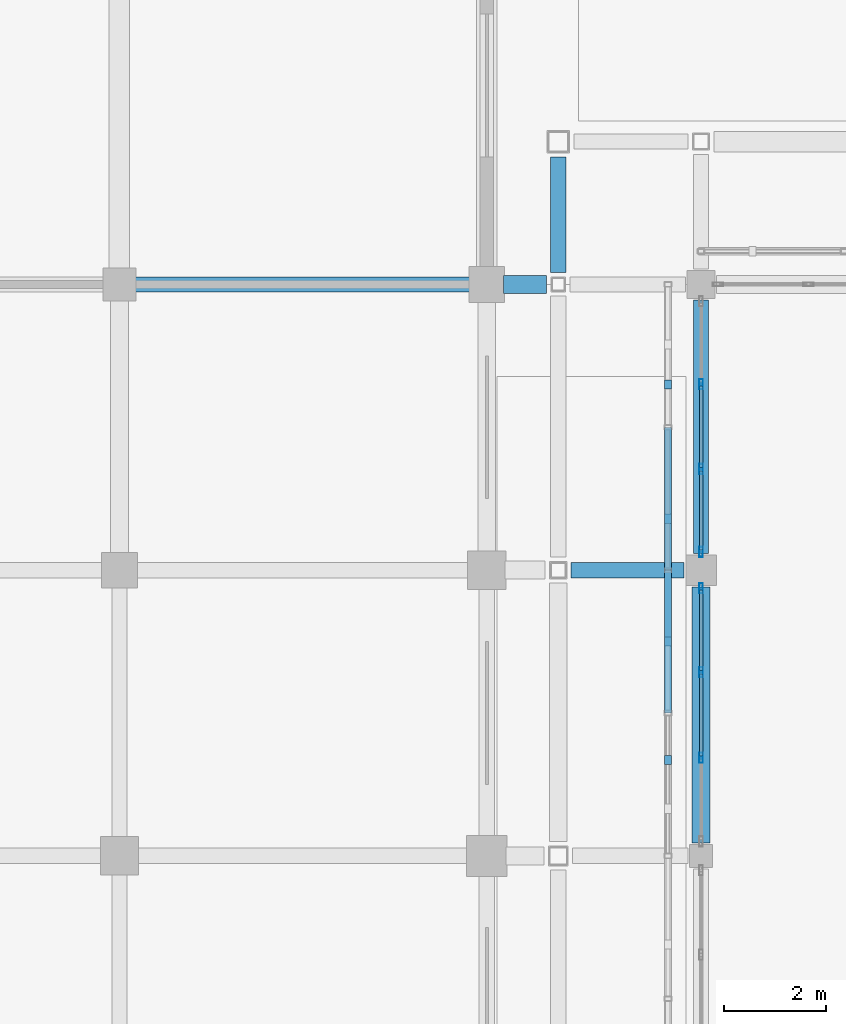
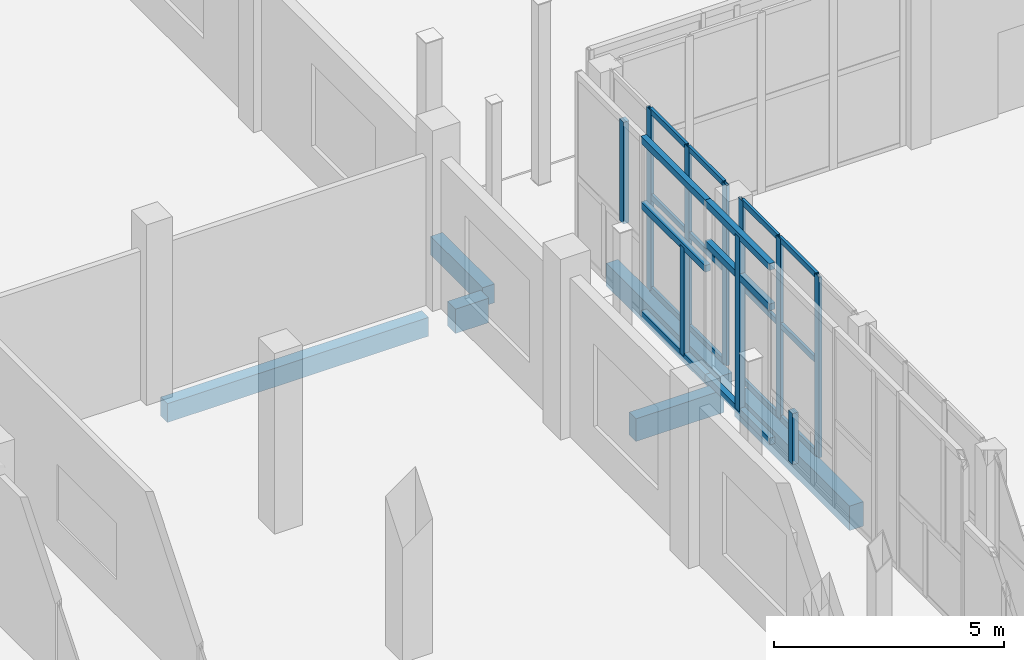
# One storey, part 37 of 91: 28 members, 6 beams, 2 elements without a shape of their own.
"""IFC4 building model written with IfcOpenShell, lengths in metres."""

from ifc_helpers import new_model, si_unit, direction, frame, origin, origin_2d, place, context, subcontext, project, spatial, rectangle, hollow_rectangle, extrude, material, layer, layer_set, material_profile, profile_set, type_object, element, aggregate, save


model = new_model("IFC4")

# Units and contexts
model_context = context("Model", 3, precision=1e-05, world=origin(), true_north=direction((0.0, 1.0)))
body_context = subcontext(model_context, "Body", "Model", "MODEL_VIEW")
ifc_project = project(units=[si_unit("LENGTHUNIT", "METRE"), si_unit("AREAUNIT", "SQUARE_METRE"), si_unit("VOLUMEUNIT", "CUBIC_METRE"), si_unit("PLANEANGLEUNIT", "RADIAN"), si_unit("MASSUNIT", "GRAM", prefix="KILO")], contexts=[model_context])

# Site, building, storey
site_placement = place(None, origin())
site = spatial("IfcSite", under=ifc_project, at=site_placement, CompositionType="ELEMENT")
building_placement = place(site_placement, origin())
building = spatial("IfcBuilding", under=site, at=building_placement, Name="Vinh Khe Railworks Police Headquarters", CompositionType="ELEMENT")
storey_placement = place(building_placement, origin())
storey = spatial("IfcBuildingStorey", under=building, at=storey_placement, Name="L00", CompositionType="ELEMENT", Elevation=0.0)

# Members
ifc_material_1 = material(Name="Salvaged ironwood timber", Category="wood")
ifc_material_profile_1 = material_profile(ifc_material_1, rectangle(XDim=0.139892578125, YDim=0.179931640625, at=origin_2d()), Name="TIMBER 140x180")
ifc_profile_set_1 = profile_set([ifc_material_profile_1], Name="Salvaged ironwood timber")
member_type_1 = type_object("IfcMemberType", Name="MEM-QUILT-STILE", PredefinedType="CHORD", material=ifc_profile_set_1)
member_1_placement = place(storey_placement, frame((25.75, 49.47607421875, 0.080078125), z_axis=(0.0, 0.0, 1.0), x_axis=(1.0, 0.0, 0.0)))
element("IfcMember", 1, at=member_1_placement, inside=storey, type_object=member_type_1, Name="Salvaged Timber Quilt Stile W-L00-08-V2", PredefinedType="POST", context=body_context, shape_type="SweptSolid", body=[
    extrude(rectangle(XDim=0.139892578125, YDim=0.179931640625, at=origin_2d()), origin(), (0.0, 0.0, 1.0), 1.35986328125),
])
for number, where, z_axis, x_axis, name in (
    (2, (25.75, 50.39990234375, 4.719970703125), (0.0, 1.0, 0.0), (-1.0, 0.0, 0.0), "Salvaged Timber Quilt Transom W-L00-09-TOP"),
    (3, (25.75, 50.39990234375, 0.080078125), (0.0, 1.0, 0.0), (-1.0, 0.0, 0.0), "Salvaged Timber Quilt Transom W-L00-09-BOT"),
    (4, (25.75, 50.39990234375, 3.64794921875), (0.0, 1.0, 0.0), (-1.0, 0.0, 0.0), "Salvaged Timber Quilt Transom W-L00-09-M1"),
):
    element("IfcMember", number, at=place(storey_placement, frame(where, z_axis=z_axis, x_axis=x_axis)), inside=storey, type_object=member_type_1, Name=name, PredefinedType="CHORD", context=body_context, shape_type="SweptSolid", body=[
        extrude(rectangle(XDim=0.139892578125, YDim=0.179931640625, at=origin_2d()), origin(), (0.0, 0.0, 1.0), 2.800048828125),
    ])
member_2_placement = place(storey_placement, frame((25.75, 51.800048828125, 0.080078125), z_axis=(0.0, 0.0, 1.0), x_axis=(1.0, 0.0, 0.0)))
element("IfcMember", 5, at=member_2_placement, inside=storey, type_object=member_type_1, Name="Salvaged Timber Quilt Stile W-L00-09-V1", PredefinedType="POST", context=body_context, shape_type="SweptSolid", body=[
    extrude(rectangle(XDim=0.139892578125, YDim=0.179931640625, at=origin_2d()), origin(), (0.0, 0.0, 1.0), 4.639892578125),
])
for number, where, z_axis, x_axis, name in (
    (6, (25.75, 53.199951171875, 4.719970703125), (0.0, 1.0, 0.0), (-1.0, 0.0, 0.0), "Salvaged Timber Quilt Transom W-L00-10-TOP"),
    (7, (25.75, 53.199951171875, 0.080078125), (0.0, 1.0, 0.0), (-1.0, 0.0, 0.0), "Salvaged Timber Quilt Transom W-L00-10-BOT"),
    (8, (25.75, 53.199951171875, 2.97607421875), (0.0, 1.0, 0.0), (-1.0, 0.0, 0.0), "Salvaged Timber Quilt Transom W-L00-10-M1"),
):
    element("IfcMember", number, at=place(storey_placement, frame(where, z_axis=z_axis, x_axis=x_axis)), inside=storey, type_object=member_type_1, Name=name, PredefinedType="CHORD", context=body_context, shape_type="SweptSolid", body=[
        extrude(rectangle(XDim=0.139892578125, YDim=0.179931640625, at=origin_2d()), origin(), (0.0, 0.0, 1.0), 2.800048828125),
    ])
member_3_placement = place(storey_placement, frame((25.75, 54.2080078125, 0.080078125), z_axis=(0.0, 0.0, 1.0), x_axis=(1.0, 0.0, 0.0)))
element("IfcMember", 9, at=member_3_placement, inside=storey, type_object=member_type_1, Name="Salvaged Timber Quilt Stile W-L00-10-V1", PredefinedType="POST", context=body_context, shape_type="SweptSolid", body=[
    extrude(rectangle(XDim=0.139892578125, YDim=0.179931640625, at=origin_2d()), origin(), (0.0, 0.0, 1.0), 2.89599609375),
])
member_4_placement = place(storey_placement, frame((25.75, 56.840087890625, 2.01611328125), z_axis=(0.0, 0.0, 1.0), x_axis=(1.0, 0.0, 0.0)))
element("IfcMember", 10, at=member_4_placement, inside=storey, type_object=member_type_1, Name="Salvaged Timber Quilt Stile W-L00-11-V2", PredefinedType="POST", context=body_context, shape_type="SweptSolid", body=[
    extrude(rectangle(XDim=0.139892578125, YDim=0.179931640625, at=origin_2d()), origin(), (0.0, 0.0, 1.0), 2.703857421875),
])

# Curtain wall, members
ifc_material_2 = material(Name="Anodised aluminium and low-iron glass", Category="aluminium")
ifc_layer = layer(ifc_material_2, 0.179931640625)
ifc_layer_set = layer_set([ifc_layer], Name="Anodised aluminium and low-iron glass")
curtain_wall_type = type_object("IfcCurtainWallType", Name="CW-CUBE-UNIT", PredefinedType="USERDEFINED", material=ifc_layer_set)
curtain_wall_1_placement = place(storey_placement, origin())
curtain_wall_1 = element("IfcCurtainWall", 11, at=curtain_wall_1_placement, inside=storey, type_object=curtain_wall_type, Name="Entrance Hall Curtain Wall L00 W-5", ObjectType="UNITISED GLAZING", PredefinedType="USERDEFINED")
ifc_material_3 = material(Name="Anodised aluminium 6063-T6", Category="aluminium")
ifc_material_profile_2 = material_profile(ifc_material_3, hollow_rectangle(XDim=0.070068359375, YDim=0.199951171875, WallThickness=0.0048828125, at=origin_2d()), Name="CW-M 70x200x5")
ifc_profile_set_2 = profile_set([ifc_material_profile_2], Name="Anodised aluminium 6063-T6")
member_type_2 = type_object("IfcMemberType", Name="MULL-CWM-03", PredefinedType="MULLION", material=ifc_profile_set_2)
member_5_placement = place(storey_placement, frame((26.39990234375, 49.5234375, 0.0), z_axis=(0.0, 0.0, 1.0), x_axis=(-1.0, 0.0, 0.0)))
member_5 = element("IfcMember", 12, at=member_5_placement, type_object=member_type_2, Name="CW-01 mullion 2", PredefinedType="MULLION", context=body_context, shape_type="SweptSolid", body=[
    extrude(hollow_rectangle(XDim=0.070068359375, YDim=0.199951171875, WallThickness=0.0048828125, at=origin_2d()), origin(), (0.0, 0.0, 1.0), 4.800048828125),
])
member_6_placement = place(storey_placement, frame((26.39990234375, 51.20166015625, 0.0), z_axis=(0.0, 0.0, 1.0), x_axis=(-1.0, 0.0, 0.0)))
member_6 = element("IfcMember", 13, at=member_6_placement, type_object=member_type_2, Name="CW-01 mullion 3", PredefinedType="MULLION", context=body_context, shape_type="SweptSolid", body=[
    extrude(hollow_rectangle(XDim=0.070068359375, YDim=0.199951171875, WallThickness=0.0048828125, at=origin_2d()), origin(), (0.0, 0.0, 1.0), 4.800048828125),
])
member_7_placement = place(storey_placement, frame((26.39990234375, 52.844970703125, 0.0), z_axis=(0.0, 0.0, 1.0), x_axis=(-1.0, 0.0, 0.0)))
member_7 = element("IfcMember", 14, at=member_7_placement, type_object=member_type_2, Name="CW-01 mullion 4", PredefinedType="MULLION", context=body_context, shape_type="SweptSolid", body=[
    extrude(hollow_rectangle(XDim=0.070068359375, YDim=0.199951171875, WallThickness=0.0048828125, at=origin_2d()), origin(), (0.0, 0.0, 1.0), 4.800048828125),
])

curtain_wall_2_placement = place(storey_placement, origin())
curtain_wall_2 = element("IfcCurtainWall", 15, at=curtain_wall_2_placement, inside=storey, type_object=curtain_wall_type, Name="Entrance Hall Curtain Wall L00 W-6", ObjectType="UNITISED GLAZING", PredefinedType="USERDEFINED")
member_8_placement = place(storey_placement, frame((26.39990234375, 53.554931640625, 0.0), z_axis=(0.0, 0.0, 1.0), x_axis=(-1.0, 0.0, 0.0)))
member_8 = element("IfcMember", 16, at=member_8_placement, type_object=member_type_2, Name="CW-01 mullion 1", PredefinedType="MULLION", context=body_context, shape_type="SweptSolid", body=[
    extrude(hollow_rectangle(XDim=0.070068359375, YDim=0.199951171875, WallThickness=0.0048828125, at=origin_2d()), origin(), (0.0, 0.0, 1.0), 4.800048828125),
])
member_9_placement = place(storey_placement, frame((26.39990234375, 55.181640625, 0.0), z_axis=(0.0, 0.0, 1.0), x_axis=(-1.0, 0.0, 0.0)))
member_9 = element("IfcMember", 17, at=member_9_placement, type_object=member_type_2, Name="CW-01 mullion 2", PredefinedType="MULLION", context=body_context, shape_type="SweptSolid", body=[
    extrude(hollow_rectangle(XDim=0.070068359375, YDim=0.199951171875, WallThickness=0.0048828125, at=origin_2d()), origin(), (0.0, 0.0, 1.0), 4.800048828125),
])
member_10_placement = place(storey_placement, frame((26.39990234375, 56.84326171875, 0.0), z_axis=(0.0, 0.0, 1.0), x_axis=(-1.0, 0.0, 0.0)))
member_10 = element("IfcMember", 18, at=member_10_placement, type_object=member_type_2, Name="CW-01 mullion 3", PredefinedType="MULLION", context=body_context, shape_type="SweptSolid", body=[
    extrude(hollow_rectangle(XDim=0.070068359375, YDim=0.199951171875, WallThickness=0.0048828125, at=origin_2d()), origin(), (0.0, 0.0, 1.0), 4.800048828125),
])

# Beams
ifc_material_4 = material(Name="Concrete C35/45 (B35)", Category="concrete")
ifc_material_profile_3 = material_profile(ifc_material_4, rectangle(XDim=0.300048828125, YDim=0.5, at=origin_2d()), Name="RC 300x500")
ifc_profile_set_3 = profile_set([ifc_material_profile_3], Name="Concrete C35/45 (B35)")
beam_type_1 = type_object("IfcBeamType", Name="RC Girder RC 300x500", PredefinedType="BEAM", material=ifc_profile_set_3)
beam_1_placement = place(storey_placement, frame((15.304931640625, 58.800048828125, -0.530029296875), z_axis=(1.0, 0.0, 0.0), x_axis=(0.0, 1.0, 0.0)))
element("IfcBeam", 19, at=beam_1_placement, inside=storey, type_object=beam_type_1, Name="Girder BM-L00-EW-RB-10-0075", PredefinedType="BEAM", context=body_context, shape_type="SweptSolid", body=[
    extrude(rectangle(XDim=0.300048828125, YDim=0.5, at=origin_2d()), origin(), (0.0, 0.0, 1.0), 6.565185546875),
])
beam_2_placement = place(storey_placement, frame((23.60009765625, 59.030029296875, -0.530029296875), z_axis=(0.0, 1.0, 0.0), x_axis=(-1.0, 0.0, 0.0)))
element("IfcBeam", 20, at=beam_2_placement, inside=storey, type_object=beam_type_1, Name="Girder BM-L00-NS-RB-10-0270", PredefinedType="BEAM", context=body_context, shape_type="SweptSolid", body=[
    extrude(rectangle(XDim=0.300048828125, YDim=0.5, at=origin_2d()), origin(), (0.0, 0.0, 1.0), 2.264892578125),
])
ifc_material_profile_4 = material_profile(ifc_material_4, rectangle(XDim=0.300048828125, YDim=0.60009765625, at=origin_2d()), Name="RC 300x600")
ifc_profile_set_4 = profile_set([ifc_material_profile_4], Name="Concrete C35/45 (B35)")
beam_type_2 = type_object("IfcBeamType", Name="RC Girder RC 300x600", PredefinedType="BEAM", material=ifc_profile_set_4)
beam_3_placement = place(storey_placement, frame((23.85498046875, 53.199951171875, -0.580078125), z_axis=(1.0, 0.0, 0.0), x_axis=(0.0, 1.0, 0.0)))
element("IfcBeam", 21, at=beam_3_placement, inside=storey, type_object=beam_type_2, Name="Girder BM-L00-EW-RB-09-0071", PredefinedType="BEAM", context=body_context, shape_type="SweptSolid", body=[
    extrude(rectangle(XDim=0.300048828125, YDim=0.60009765625, at=origin_2d()), origin(), (0.0, 0.0, 1.0), 2.215087890625),
])
beam_4_placement = place(storey_placement, frame((26.39990234375, 53.530029296875, -0.580078125), z_axis=(0.0, 1.0, 0.0), x_axis=(-1.0, 0.0, 0.0)))
element("IfcBeam", 22, at=beam_4_placement, inside=storey, type_object=beam_type_2, Name="Girder BM-L00-NS-RB-09-0281", PredefinedType="BEAM", context=body_context, shape_type="SweptSolid", body=[
    extrude(rectangle(XDim=0.300048828125, YDim=0.60009765625, at=origin_2d()), origin(), (0.0, 0.0, 1.0), 4.965087890625),
])
ifc_material_profile_5 = material_profile(ifc_material_4, rectangle(XDim=0.35009765625, YDim=0.64990234375, at=origin_2d()), Name="RC 350x650")
ifc_profile_set_5 = profile_set([ifc_material_profile_5], Name="Concrete C35/45 (B35)")
beam_type_3 = type_object("IfcBeamType", Name="RC Girder RC 350x650", PredefinedType="BEAM", material=ifc_profile_set_5)
beam_5_placement = place(storey_placement, frame((22.530029296875, 58.800048828125, -0.60498046875), z_axis=(1.0, 0.0, 0.0), x_axis=(0.0, 1.0, 0.0)))
element("IfcBeam", 23, at=beam_5_placement, inside=storey, type_object=beam_type_3, Name="Girder BM-L00-EW-RB-08-0076", PredefinedType="BEAM", context=body_context, shape_type="SweptSolid", body=[
    extrude(rectangle(XDim=0.35009765625, YDim=0.64990234375, at=origin_2d()), origin(), (0.0, 0.0, 1.0), 0.840087890625),
])
beam_6_placement = place(storey_placement, frame((26.39990234375, 47.85498046875, -0.60498046875), z_axis=(0.0, 1.0, 0.0), x_axis=(-1.0, 0.0, 0.0)))
element("IfcBeam", 24, at=beam_6_placement, inside=storey, type_object=beam_type_3, Name="Girder BM-L00-NS-RB-08-0280", PredefinedType="BEAM", context=body_context, shape_type="SweptSolid", body=[
    extrude(rectangle(XDim=0.35009765625, YDim=0.64990234375, at=origin_2d()), origin(), (0.0, 0.0, 1.0), 5.01513671875),
])

# Member
ifc_material_profile_6 = material_profile(ifc_material_3, hollow_rectangle(XDim=0.070068359375, YDim=0.14990234375, WallThickness=0.0048828125, at=origin_2d()), Name="CW-T 70x150x5")
ifc_profile_set_6 = profile_set([ifc_material_profile_6], Name="Anodised aluminium 6063-T6")
member_type_3 = type_object("IfcMemberType", Name="TRAN-CWT-03", PredefinedType="USERDEFINED", material=ifc_profile_set_6)
member_11_placement = place(storey_placement, frame((26.39990234375, 49.558349609375, 0.034912109375), z_axis=(0.0, 1.0, 0.0), x_axis=(-1.0, 0.0, 0.0)))
member_11 = element("IfcMember", 25, at=member_11_placement, type_object=member_type_3, Name="CW-01 transom 2.1", ObjectType="TRANSOM", PredefinedType="USERDEFINED", context=body_context, shape_type="SweptSolid", body=[
    extrude(hollow_rectangle(XDim=0.070068359375, YDim=0.14990234375, WallThickness=0.0048828125, at=origin_2d()), origin(), (0.0, 0.0, 1.0), 1.6083984375),
])

member_12_placement = place(storey_placement, frame((26.39990234375, 49.558349609375, 2.49609375), z_axis=(0.0, 1.0, 0.0), x_axis=(-1.0, 0.0, 0.0)))
member_12 = element("IfcMember", 26, at=member_12_placement, type_object=member_type_3, Name="CW-01 transom 2.2", ObjectType="TRANSOM", PredefinedType="USERDEFINED", context=body_context, shape_type="SweptSolid", body=[
    extrude(hollow_rectangle(XDim=0.070068359375, YDim=0.14990234375, WallThickness=0.0048828125, at=origin_2d()), origin(), (0.0, 0.0, 1.0), 1.6083984375),
])

member_13_placement = place(storey_placement, frame((26.39990234375, 49.558349609375, 4.764892578125), z_axis=(0.0, 1.0, 0.0), x_axis=(-1.0, 0.0, 0.0)))
member_13 = element("IfcMember", 27, at=member_13_placement, type_object=member_type_3, Name="CW-01 transom 2.3", ObjectType="TRANSOM", PredefinedType="USERDEFINED", context=body_context, shape_type="SweptSolid", body=[
    extrude(hollow_rectangle(XDim=0.070068359375, YDim=0.14990234375, WallThickness=0.0048828125, at=origin_2d()), origin(), (0.0, 0.0, 1.0), 1.6083984375),
])

member_14_placement = place(storey_placement, frame((26.39990234375, 51.236572265625, 0.034912109375), z_axis=(0.0, 1.0, 0.0), x_axis=(-1.0, 0.0, 0.0)))
member_14 = element("IfcMember", 28, at=member_14_placement, type_object=member_type_3, Name="CW-01 transom 3.1", ObjectType="TRANSOM", PredefinedType="USERDEFINED", context=body_context, shape_type="SweptSolid", body=[
    extrude(hollow_rectangle(XDim=0.070068359375, YDim=0.14990234375, WallThickness=0.0048828125, at=origin_2d()), origin(), (0.0, 0.0, 1.0), 1.573486328125),
])

member_15_placement = place(storey_placement, frame((26.39990234375, 51.236572265625, 2.49609375), z_axis=(0.0, 1.0, 0.0), x_axis=(-1.0, 0.0, 0.0)))
member_15 = element("IfcMember", 29, at=member_15_placement, type_object=member_type_3, Name="CW-01 transom 3.2", ObjectType="TRANSOM", PredefinedType="USERDEFINED", context=body_context, shape_type="SweptSolid", body=[
    extrude(hollow_rectangle(XDim=0.070068359375, YDim=0.14990234375, WallThickness=0.0048828125, at=origin_2d()), origin(), (0.0, 0.0, 1.0), 1.573486328125),
])

member_16_placement = place(storey_placement, frame((26.39990234375, 51.236572265625, 4.764892578125), z_axis=(0.0, 1.0, 0.0), x_axis=(-1.0, 0.0, 0.0)))
member_16 = element("IfcMember", 30, at=member_16_placement, type_object=member_type_3, Name="CW-01 transom 3.3", ObjectType="TRANSOM", PredefinedType="USERDEFINED", context=body_context, shape_type="SweptSolid", body=[
    extrude(hollow_rectangle(XDim=0.070068359375, YDim=0.14990234375, WallThickness=0.0048828125, at=origin_2d()), origin(), (0.0, 0.0, 1.0), 1.573486328125),
])

aggregate(curtain_wall_1, [member_5, member_6, member_7, member_11, member_12, member_13, member_14, member_15, member_16])

member_17_placement = place(storey_placement, frame((26.39990234375, 53.590087890625, 0.034912109375), z_axis=(0.0, 1.0, 0.0), x_axis=(-1.0, 0.0, 0.0)))
member_17 = element("IfcMember", 31, at=member_17_placement, type_object=member_type_3, Name="CW-01 transom 1.1", ObjectType="TRANSOM", PredefinedType="USERDEFINED", context=body_context, shape_type="SweptSolid", body=[
    extrude(hollow_rectangle(XDim=0.070068359375, YDim=0.14990234375, WallThickness=0.0048828125, at=origin_2d()), origin(), (0.0, 0.0, 1.0), 1.556640625),
])

member_18_placement = place(storey_placement, frame((26.39990234375, 53.590087890625, 2.49609375), z_axis=(0.0, 1.0, 0.0), x_axis=(-1.0, 0.0, 0.0)))
member_18 = element("IfcMember", 32, at=member_18_placement, type_object=member_type_3, Name="CW-01 transom 1.2", ObjectType="TRANSOM", PredefinedType="USERDEFINED", context=body_context, shape_type="SweptSolid", body=[
    extrude(hollow_rectangle(XDim=0.070068359375, YDim=0.14990234375, WallThickness=0.0048828125, at=origin_2d()), origin(), (0.0, 0.0, 1.0), 1.556640625),
])

member_19_placement = place(storey_placement, frame((26.39990234375, 53.590087890625, 4.764892578125), z_axis=(0.0, 1.0, 0.0), x_axis=(-1.0, 0.0, 0.0)))
member_19 = element("IfcMember", 33, at=member_19_placement, type_object=member_type_3, Name="CW-01 transom 1.3", ObjectType="TRANSOM", PredefinedType="USERDEFINED", context=body_context, shape_type="SweptSolid", body=[
    extrude(hollow_rectangle(XDim=0.070068359375, YDim=0.14990234375, WallThickness=0.0048828125, at=origin_2d()), origin(), (0.0, 0.0, 1.0), 1.556640625),
])

member_20_placement = place(storey_placement, frame((26.39990234375, 55.216552734375, 0.034912109375), z_axis=(0.0, 1.0, 0.0), x_axis=(-1.0, 0.0, 0.0)))
member_20 = element("IfcMember", 34, at=member_20_placement, type_object=member_type_3, Name="CW-01 transom 2.1", ObjectType="TRANSOM", PredefinedType="USERDEFINED", context=body_context, shape_type="SweptSolid", body=[
    extrude(hollow_rectangle(XDim=0.070068359375, YDim=0.14990234375, WallThickness=0.0048828125, at=origin_2d()), origin(), (0.0, 0.0, 1.0), 1.591796875),
])

member_21_placement = place(storey_placement, frame((26.39990234375, 55.216552734375, 2.49609375), z_axis=(0.0, 1.0, 0.0), x_axis=(-1.0, 0.0, 0.0)))
member_21 = element("IfcMember", 35, at=member_21_placement, type_object=member_type_3, Name="CW-01 transom 2.2", ObjectType="TRANSOM", PredefinedType="USERDEFINED", context=body_context, shape_type="SweptSolid", body=[
    extrude(hollow_rectangle(XDim=0.070068359375, YDim=0.14990234375, WallThickness=0.0048828125, at=origin_2d()), origin(), (0.0, 0.0, 1.0), 1.591796875),
])

member_22_placement = place(storey_placement, frame((26.39990234375, 55.216552734375, 4.764892578125), z_axis=(0.0, 1.0, 0.0), x_axis=(-1.0, 0.0, 0.0)))
member_22 = element("IfcMember", 36, at=member_22_placement, type_object=member_type_3, Name="CW-01 transom 2.3", ObjectType="TRANSOM", PredefinedType="USERDEFINED", context=body_context, shape_type="SweptSolid", body=[
    extrude(hollow_rectangle(XDim=0.070068359375, YDim=0.14990234375, WallThickness=0.0048828125, at=origin_2d()), origin(), (0.0, 0.0, 1.0), 1.591796875),
])

aggregate(curtain_wall_2, [member_8, member_9, member_10, member_17, member_18, member_19, member_20, member_21, member_22])

save(model, "model.ifc")
